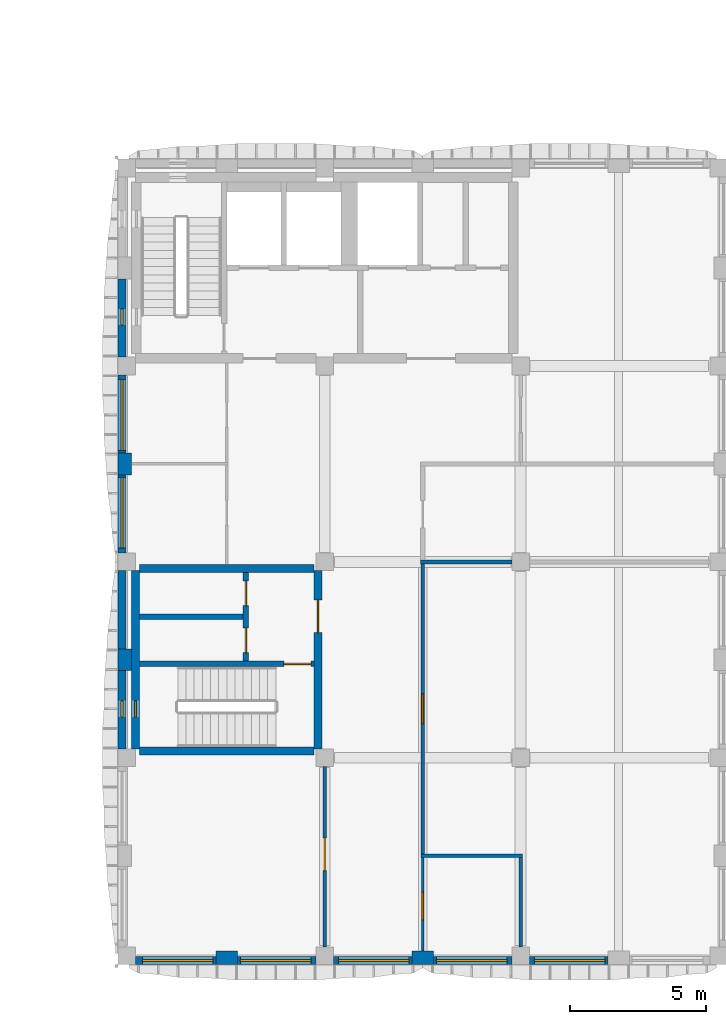
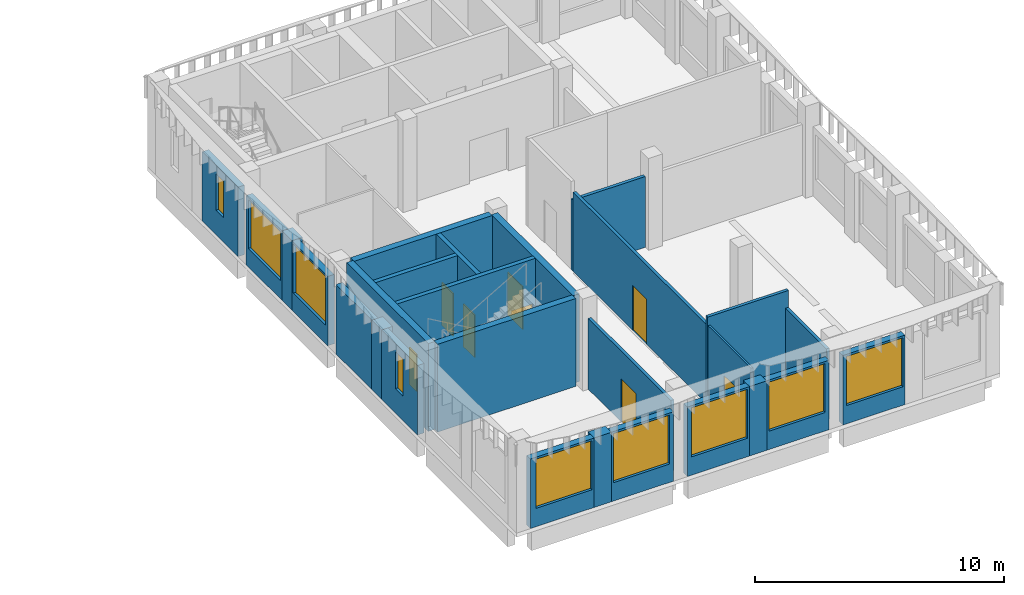
# One storey, part 14 of 30: 27 walls, 10 windows, 7 doors, 17 openings.
"""IFC4 building model written with IfcOpenShell, lengths in metres."""

from ifc_helpers import new_model, si_unit, direction, frame, frame_2d, origin, place, context, subcontext, project, spatial, rectangle, extrude, material, layer, layer_set, type_object, element, fill, save


model = new_model("IFC4")

# Units and contexts
model_context = context("Model", 3, precision=1e-05, world=origin(), true_north=direction((0.0, 1.0)))
body_context = subcontext(model_context, "Body", "Model", "MODEL_VIEW")
ifc_project = project(units=[si_unit("LENGTHUNIT", "METRE"), si_unit("AREAUNIT", "SQUARE_METRE"), si_unit("VOLUMEUNIT", "CUBIC_METRE"), si_unit("PLANEANGLEUNIT", "RADIAN"), si_unit("MASSUNIT", "GRAM", prefix="KILO")], contexts=[model_context])

# Site, building, storey
site_placement = place(None, origin())
site = spatial("IfcSite", under=ifc_project, at=site_placement, CompositionType="ELEMENT")
building_placement = place(site_placement, origin())
building = spatial("IfcBuilding", under=site, at=building_placement, Name="Ussher Court Research Institute", CompositionType="ELEMENT")
storey_placement = place(building_placement, frame((0.0, 0.0, 27.89990234375)))
storey = spatial("IfcBuildingStorey", under=building, at=storey_placement, Name="L06", CompositionType="ELEMENT", Elevation=27.89990234375)

# Wall, opening, window
ifc_material_1 = material(Name="Blockwork with cream render", Category="masonry")
ifc_layer_1 = layer(ifc_material_1, 0.300048828125)
ifc_layer_set_1 = layer_set([ifc_layer_1], Name="Blockwork with cream render")
wall_type_1 = type_object("IfcWallType", Name="External wall 300 cream render", PredefinedType="SOLIDWALL", material=ifc_layer_set_1)
wall_1_placement = place(storey_placement, frame((81.949951171875, 18.72509765625, 0.0), z_axis=(0.0, 0.0, 1.0), x_axis=(0.0, 1.0, 0.0)))
wall_1 = element("IfcWall", 1, at=wall_1_placement, inside=storey, type_object=wall_type_1, Name="External wall EW1 L06", PredefinedType="SOLIDWALL", context=body_context, shape_type="SweptSolid", body=[
    extrude(rectangle(XDim=2.875, YDim=0.300048828125, at=frame_2d((1.4375, 0.0))), origin(), (0.0, 0.0, 1.0), 3.400146484375),
])
opening_1_placement = place(wall_1_placement, frame((0.175048828125, 0.0, 0.89990234375)))
opening_1 = element("IfcOpeningElement", 2, at=opening_1_placement, cuts=wall_1, Name="Opening W01", PredefinedType="OPENING", context=body_context, shape_type="SweptSolid", body=[
    extrude(rectangle(XDim=2.60009765625, YDim=2.39990234375, at=frame_2d((1.300048828125, 1.199951171875))), frame((0.0, 0.16015625, 0.0), z_axis=(0.0, -1.0, 0.0), x_axis=(1.0, 0.0, 0.0)), (0.0, 0.0, 1.0), 0.320068359375),
])
ifc_material_2 = material(Name="Bronze anodised aluminium with double glazing", Category="aluminium")
window_type_1 = type_object("IfcWindowType", Name="Laboratory bay window 2600x2400", PartitioningType="DOUBLE_PANEL_VERTICAL", PredefinedType="WINDOW", material=ifc_material_2)
window_1_placement = place(opening_1_placement, origin())
window_1 = element("IfcWindow", 3, at=window_1_placement, inside=storey, type_object=window_type_1, Name="Window W01 L06", OverallHeight=2.39990234375, OverallWidth=2.60009765625, PartitioningType="SINGLE_PANEL", PredefinedType="WINDOW", context=body_context, shape_type="SweptSolid", body=[
    extrude(rectangle(XDim=2.60009765625, YDim=2.39990234375, at=frame_2d((1.300048828125, 1.199951171875))), frame((0.0, 0.030029296875, 0.0), z_axis=(0.0, -1.0, 0.0), x_axis=(1.0, 0.0, 0.0)), (0.0, 0.0, 1.0), 0.06005859375),
])
fill(opening_1, window_1)

wall_2_placement = place(storey_placement, frame((81.949951171875, 22.39990234375, 0.0), z_axis=(0.0, 0.0, 1.0), x_axis=(0.0, 1.0, 0.0)))
wall_2 = element("IfcWall", 4, at=wall_2_placement, inside=storey, type_object=wall_type_1, Name="External wall EW1 L06", PredefinedType="SOLIDWALL", context=body_context, shape_type="SweptSolid", body=[
    extrude(rectangle(XDim=2.875, YDim=0.300048828125, at=frame_2d((1.4375, 0.0))), origin(), (0.0, 0.0, 1.0), 3.400146484375),
])
opening_2_placement = place(wall_2_placement, frame((0.10009765625, 0.0, 0.89990234375)))
opening_2 = element("IfcOpeningElement", 5, at=opening_2_placement, cuts=wall_2, Name="Opening W01", PredefinedType="OPENING", context=body_context, shape_type="SweptSolid", body=[
    extrude(rectangle(XDim=2.60009765625, YDim=2.39990234375, at=frame_2d((1.300048828125, 1.199951171875))), frame((0.0, 0.16015625, 0.0), z_axis=(0.0, -1.0, 0.0), x_axis=(1.0, 0.0, 0.0)), (0.0, 0.0, 1.0), 0.320068359375),
])
window_2_placement = place(opening_2_placement, origin())
window_2 = element("IfcWindow", 6, at=window_2_placement, inside=storey, type_object=window_type_1, Name="Window W01 L06", OverallHeight=2.39990234375, OverallWidth=2.60009765625, PartitioningType="SINGLE_PANEL", PredefinedType="WINDOW", context=body_context, shape_type="SweptSolid", body=[
    extrude(rectangle(XDim=2.60009765625, YDim=2.39990234375, at=frame_2d((1.300048828125, 1.199951171875))), frame((0.0, 0.030029296875, 0.0), z_axis=(0.0, -1.0, 0.0), x_axis=(1.0, 0.0, 0.0)), (0.0, 0.0, 1.0), 0.06005859375),
])
fill(opening_2, window_2)

wall_3_placement = place(storey_placement, frame((99.800048828125, 3.75, 0.0), z_axis=(0.0, 0.0, 1.0), x_axis=(-1.0, 0.0, 0.0)))
wall_3 = element("IfcWall", 7, at=wall_3_placement, inside=storey, type_object=wall_type_1, Name="External wall EW1 L06", PredefinedType="SOLIDWALL", context=body_context, shape_type="SweptSolid", body=[
    extrude(rectangle(XDim=2.875, YDim=0.300048828125, at=frame_2d((1.4375, 0.0))), origin(), (0.0, 0.0, 1.0), 3.400146484375),
])
opening_3_placement = place(wall_3_placement, frame((0.10009765625, 0.0, 0.89990234375)))
opening_3 = element("IfcOpeningElement", 8, at=opening_3_placement, cuts=wall_3, Name="Opening W01", PredefinedType="OPENING", context=body_context, shape_type="SweptSolid", body=[
    extrude(rectangle(XDim=2.60009765625, YDim=2.39990234375, at=frame_2d((1.300048828125, 1.199951171875))), frame((0.0, 0.16015625, 0.0), z_axis=(0.0, -1.0, 0.0), x_axis=(1.0, 0.0, 0.0)), (0.0, 0.0, 1.0), 0.320068359375),
])
window_3_placement = place(opening_3_placement, origin())
window_3 = element("IfcWindow", 9, at=window_3_placement, inside=storey, type_object=window_type_1, Name="Window W01 L06", OverallHeight=2.39990234375, OverallWidth=2.60009765625, PartitioningType="SINGLE_PANEL", PredefinedType="WINDOW", context=body_context, shape_type="SweptSolid", body=[
    extrude(rectangle(XDim=2.60009765625, YDim=2.39990234375, at=frame_2d((1.300048828125, 1.199951171875))), frame((0.0, 0.030029296875, 0.0), z_axis=(0.0, -1.0, 0.0), x_axis=(1.0, 0.0, 0.0)), (0.0, 0.0, 1.0), 0.06005859375),
])
fill(opening_3, window_3)

wall_4_placement = place(storey_placement, frame((96.27490234375, 3.75, 0.0), z_axis=(0.0, 0.0, 1.0), x_axis=(-1.0, 0.0, 0.0)))
wall_4 = element("IfcWall", 10, at=wall_4_placement, inside=storey, type_object=wall_type_1, Name="External wall EW1 L06", PredefinedType="SOLIDWALL", context=body_context, shape_type="SweptSolid", body=[
    extrude(rectangle(XDim=2.875, YDim=0.300048828125, at=frame_2d((1.4375, 0.0))), origin(), (0.0, 0.0, 1.0), 3.400146484375),
])
opening_4_placement = place(wall_4_placement, frame((0.175048828125, 0.0, 0.89990234375)))
opening_4 = element("IfcOpeningElement", 11, at=opening_4_placement, cuts=wall_4, Name="Opening W01", PredefinedType="OPENING", context=body_context, shape_type="SweptSolid", body=[
    extrude(rectangle(XDim=2.60009765625, YDim=2.39990234375, at=frame_2d((1.300048828125, 1.199951171875))), frame((0.0, 0.16015625, 0.0), z_axis=(0.0, -1.0, 0.0), x_axis=(1.0, 0.0, 0.0)), (0.0, 0.0, 1.0), 0.320068359375),
])
window_4_placement = place(opening_4_placement, origin())
window_4 = element("IfcWindow", 12, at=window_4_placement, inside=storey, type_object=window_type_1, Name="Window W01 L06", OverallHeight=2.39990234375, OverallWidth=2.60009765625, PartitioningType="SINGLE_PANEL", PredefinedType="WINDOW", context=body_context, shape_type="SweptSolid", body=[
    extrude(rectangle(XDim=2.60009765625, YDim=2.39990234375, at=frame_2d((1.300048828125, 1.199951171875))), frame((0.0, 0.030029296875, 0.0), z_axis=(0.0, -1.0, 0.0), x_axis=(1.0, 0.0, 0.0)), (0.0, 0.0, 1.0), 0.06005859375),
])
fill(opening_4, window_4)

wall_5_placement = place(storey_placement, frame((92.60009765625, 3.75, 0.0), z_axis=(0.0, 0.0, 1.0), x_axis=(-1.0, 0.0, 0.0)))
wall_5 = element("IfcWall", 13, at=wall_5_placement, inside=storey, type_object=wall_type_1, Name="External wall EW1 L06", PredefinedType="SOLIDWALL", context=body_context, shape_type="SweptSolid", body=[
    extrude(rectangle(XDim=2.875, YDim=0.300048828125, at=frame_2d((1.4375, 0.0))), origin(), (0.0, 0.0, 1.0), 3.400146484375),
])
opening_5_placement = place(wall_5_placement, frame((0.10009765625, 0.0, 0.89990234375)))
opening_5 = element("IfcOpeningElement", 14, at=opening_5_placement, cuts=wall_5, Name="Opening W01", PredefinedType="OPENING", context=body_context, shape_type="SweptSolid", body=[
    extrude(rectangle(XDim=2.60009765625, YDim=2.39990234375, at=frame_2d((1.300048828125, 1.199951171875))), frame((0.0, 0.16015625, 0.0), z_axis=(0.0, -1.0, 0.0), x_axis=(1.0, 0.0, 0.0)), (0.0, 0.0, 1.0), 0.320068359375),
])
window_5_placement = place(opening_5_placement, origin())
window_5 = element("IfcWindow", 15, at=window_5_placement, inside=storey, type_object=window_type_1, Name="Window W01 L06", OverallHeight=2.39990234375, OverallWidth=2.60009765625, PartitioningType="SINGLE_PANEL", PredefinedType="WINDOW", context=body_context, shape_type="SweptSolid", body=[
    extrude(rectangle(XDim=2.60009765625, YDim=2.39990234375, at=frame_2d((1.300048828125, 1.199951171875))), frame((0.0, 0.030029296875, 0.0), z_axis=(0.0, -1.0, 0.0), x_axis=(1.0, 0.0, 0.0)), (0.0, 0.0, 1.0), 0.06005859375),
])
fill(opening_5, window_5)

wall_6_placement = place(storey_placement, frame((89.074951171875, 3.75, 0.0), z_axis=(0.0, 0.0, 1.0), x_axis=(-1.0, 0.0, 0.0)))
wall_6 = element("IfcWall", 16, at=wall_6_placement, inside=storey, type_object=wall_type_1, Name="External wall EW1 L06", PredefinedType="SOLIDWALL", context=body_context, shape_type="SweptSolid", body=[
    extrude(rectangle(XDim=2.875, YDim=0.300048828125, at=frame_2d((1.4375, 0.0))), origin(), (0.0, 0.0, 1.0), 3.400146484375),
])
opening_6_placement = place(wall_6_placement, frame((0.175048828125, 0.0, 0.89990234375)))
opening_6 = element("IfcOpeningElement", 17, at=opening_6_placement, cuts=wall_6, Name="Opening W01", PredefinedType="OPENING", context=body_context, shape_type="SweptSolid", body=[
    extrude(rectangle(XDim=2.60009765625, YDim=2.39990234375, at=frame_2d((1.300048828125, 1.199951171875))), frame((0.0, 0.16015625, 0.0), z_axis=(0.0, -1.0, 0.0), x_axis=(1.0, 0.0, 0.0)), (0.0, 0.0, 1.0), 0.320068359375),
])
window_6_placement = place(opening_6_placement, origin())
window_6 = element("IfcWindow", 18, at=window_6_placement, inside=storey, type_object=window_type_1, Name="Window W01 L06", OverallHeight=2.39990234375, OverallWidth=2.60009765625, PartitioningType="SINGLE_PANEL", PredefinedType="WINDOW", context=body_context, shape_type="SweptSolid", body=[
    extrude(rectangle(XDim=2.60009765625, YDim=2.39990234375, at=frame_2d((1.300048828125, 1.199951171875))), frame((0.0, 0.030029296875, 0.0), z_axis=(0.0, -1.0, 0.0), x_axis=(1.0, 0.0, 0.0)), (0.0, 0.0, 1.0), 0.06005859375),
])
fill(opening_6, window_6)

wall_7_placement = place(storey_placement, frame((85.39990234375, 3.75, 0.0), z_axis=(0.0, 0.0, 1.0), x_axis=(-1.0, 0.0, 0.0)))
wall_7 = element("IfcWall", 19, at=wall_7_placement, inside=storey, type_object=wall_type_1, Name="External wall EW1 L06", PredefinedType="SOLIDWALL", context=body_context, shape_type="SweptSolid", body=[
    extrude(rectangle(XDim=2.949951171875, YDim=0.300048828125, at=frame_2d((1.47509765625, 0.0))), origin(), (0.0, 0.0, 1.0), 3.400146484375),
])
opening_7_placement = place(wall_7_placement, frame((0.10009765625, 0.0, 0.89990234375)))
opening_7 = element("IfcOpeningElement", 20, at=opening_7_placement, cuts=wall_7, Name="Opening W01", PredefinedType="OPENING", context=body_context, shape_type="SweptSolid", body=[
    extrude(rectangle(XDim=2.60009765625, YDim=2.39990234375, at=frame_2d((1.300048828125, 1.199951171875))), frame((0.0, 0.16015625, 0.0), z_axis=(0.0, -1.0, 0.0), x_axis=(1.0, 0.0, 0.0)), (0.0, 0.0, 1.0), 0.320068359375),
])
window_7_placement = place(opening_7_placement, origin())
window_7 = element("IfcWindow", 21, at=window_7_placement, inside=storey, type_object=window_type_1, Name="Window W01 L06", OverallHeight=2.39990234375, OverallWidth=2.60009765625, PartitioningType="SINGLE_PANEL", PredefinedType="WINDOW", context=body_context, shape_type="SweptSolid", body=[
    extrude(rectangle(XDim=2.60009765625, YDim=2.39990234375, at=frame_2d((1.300048828125, 1.199951171875))), frame((0.0, 0.030029296875, 0.0), z_axis=(0.0, -1.0, 0.0), x_axis=(1.0, 0.0, 0.0)), (0.0, 0.0, 1.0), 0.06005859375),
])
fill(opening_7, window_7)

ifc_material_3 = material(Name="Limestone facing on blockwork", Category="masonry")
ifc_layer_2 = layer(ifc_material_3, 0.300048828125)
ifc_layer_set_2 = layer_set([ifc_layer_2], Name="Limestone facing on blockwork")
wall_type_2 = type_object("IfcWallType", Name="External wall 300 stair enclosure", PredefinedType="SOLIDWALL", material=ifc_layer_set_2)
wall_8_placement = place(storey_placement, frame((81.949951171875, 11.52490234375, 0.0), z_axis=(0.0, 0.0, 1.0), x_axis=(0.0, 1.0, 0.0)))
wall_8 = element("IfcWall", 22, at=wall_8_placement, inside=storey, type_object=wall_type_2, Name="External wall EW5 L06", PredefinedType="SOLIDWALL", context=body_context, shape_type="SweptSolid", body=[
    extrude(rectangle(XDim=2.875, YDim=0.300048828125, at=frame_2d((1.4375, 0.0))), origin(), (0.0, 0.0, 1.0), 3.400146484375),
])
opening_8_placement = place(wall_8_placement, frame((1.175048828125, 0.0, 1.199951171875)))
opening_8 = element("IfcOpeningElement", 23, at=opening_8_placement, cuts=wall_8, Name="Opening W25", PredefinedType="OPENING", context=body_context, shape_type="SweptSolid", body=[
    extrude(rectangle(XDim=0.60009765625, YDim=1.800048828125, at=frame_2d((0.300048828125, 0.89990234375))), frame((0.0, 0.16015625, 0.0), z_axis=(0.0, -1.0, 0.0), x_axis=(1.0, 0.0, 0.0)), (0.0, 0.0, 1.0), 0.320068359375),
])
ifc_material_4 = material(Name="Bronze anodised aluminium with double glazing", Category="aluminium")
window_type_2 = type_object("IfcWindowType", Name="Stair light slot window 600x1800 fire-resisting glazing", PartitioningType="SINGLE_PANEL", PredefinedType="WINDOW", material=ifc_material_4)
window_8_placement = place(opening_8_placement, origin())
window_8 = element("IfcWindow", 24, at=window_8_placement, inside=storey, type_object=window_type_2, Name="Window W25 L06", OverallHeight=1.800048828125, OverallWidth=0.60009765625, PartitioningType="SINGLE_PANEL", PredefinedType="WINDOW", context=body_context, shape_type="SweptSolid", body=[
    extrude(rectangle(XDim=0.60009765625, YDim=1.800048828125, at=frame_2d((0.300048828125, 0.89990234375))), frame((0.0, 0.030029296875, 0.0), z_axis=(0.0, -1.0, 0.0), x_axis=(1.0, 0.0, 0.0)), (0.0, 0.0, 1.0), 0.06005859375),
])
fill(opening_8, window_8)

# Wall
wall_9_placement = place(storey_placement, frame((81.949951171875, 15.199951171875, 0.0), z_axis=(0.0, 0.0, 1.0), x_axis=(0.0, 1.0, 0.0)))
element("IfcWall", 25, at=wall_9_placement, inside=storey, type_object=wall_type_2, Name="External wall EW5 L06", PredefinedType="SOLIDWALL", context=body_context, shape_type="SweptSolid", body=[
    extrude(rectangle(XDim=2.875, YDim=0.300048828125, at=frame_2d((1.4375, 0.0))), origin(), (0.0, 0.0, 1.0), 3.400146484375),
])

# Wall, opening, window
wall_10_placement = place(storey_placement, frame((81.949951171875, 25.925048828125, 0.0), z_axis=(0.0, 0.0, 1.0), x_axis=(0.0, 1.0, 0.0)))
wall_10 = element("IfcWall", 26, at=wall_10_placement, inside=storey, type_object=wall_type_2, Name="External wall EW5 L06", PredefinedType="SOLIDWALL", context=body_context, shape_type="SweptSolid", body=[
    extrude(rectangle(XDim=2.875, YDim=0.300048828125, at=frame_2d((1.4375, 0.0))), origin(), (0.0, 0.0, 1.0), 3.400146484375),
])
opening_9_placement = place(wall_10_placement, frame((1.175048828125, 0.0, 1.199951171875)))
opening_9 = element("IfcOpeningElement", 27, at=opening_9_placement, cuts=wall_10, Name="Opening W25", PredefinedType="OPENING", context=body_context, shape_type="SweptSolid", body=[
    extrude(rectangle(XDim=0.60009765625, YDim=1.800048828125, at=frame_2d((0.300048828125, 0.89990234375))), frame((0.0, 0.16015625, 0.0), z_axis=(0.0, -1.0, 0.0), x_axis=(1.0, 0.0, 0.0)), (0.0, 0.0, 1.0), 0.320068359375),
])
window_9_placement = place(opening_9_placement, origin())
window_9 = element("IfcWindow", 28, at=window_9_placement, inside=storey, type_object=window_type_2, Name="Window W25 L06", OverallHeight=1.800048828125, OverallWidth=0.60009765625, PartitioningType="SINGLE_PANEL", PredefinedType="WINDOW", context=body_context, shape_type="SweptSolid", body=[
    extrude(rectangle(XDim=0.60009765625, YDim=1.800048828125, at=frame_2d((0.300048828125, 0.89990234375))), frame((0.0, 0.030029296875, 0.0), z_axis=(0.0, -1.0, 0.0), x_axis=(1.0, 0.0, 0.0)), (0.0, 0.0, 1.0), 0.06005859375),
])
fill(opening_9, window_9)

# Walls
ifc_material_5 = material(Name="Plastered blockwork", Category="masonry")
ifc_layer_3 = layer(ifc_material_5, 0.14990234375)
ifc_layer_set_3 = layer_set([ifc_layer_3], Name="Plastered blockwork")
wall_type_3 = type_object("IfcWallType", Name="Fire partition blockwork 150 EI 60", PredefinedType="PARTITIONING", material=ifc_layer_set_3)
wall_11_placement = place(storey_placement, frame((92.925048828125, 18.39990234375, 0.0), z_axis=(0.0, 0.0, 1.0), x_axis=(1.0, 0.0, 0.0)))
element("IfcWall", 29, at=wall_11_placement, inside=storey, type_object=wall_type_3, Name="Fire partition", PredefinedType="PARTITIONING", context=body_context, shape_type="SweptSolid", body=[
    extrude(rectangle(XDim=3.349853515625, YDim=0.14990234375, at=frame_2d((1.6748046875, 0.0))), origin(), (0.0, 0.0, 1.0), 3.47021484375),
])
ifc_material_6 = material(Name="Plastered blockwork", Category="masonry")
ifc_layer_4 = layer(ifc_material_6, 0.139892578125)
ifc_layer_set_4 = layer_set([ifc_layer_4], Name="Plastered blockwork")
wall_type_4 = type_object("IfcWallType", Name="Laboratory blockwork partition 140", PredefinedType="PARTITIONING", material=ifc_layer_set_4)
wall_12_placement = place(storey_placement, frame((92.929931640625, 7.60009765625, 0.0), z_axis=(0.0, 0.0, 1.0), x_axis=(1.0, 0.0, 0.0)))
element("IfcWall", 30, at=wall_12_placement, inside=storey, type_object=wall_type_4, Name="Partition", PredefinedType="PARTITIONING", context=body_context, shape_type="SweptSolid", body=[
    extrude(rectangle(XDim=3.739990234375, YDim=0.139892578125, at=frame_2d((1.8701171875, 0.0))), origin(), (0.0, 0.0, 1.0), 4.300048828125),
])

# Wall, opening, door
wall_13_placement = place(storey_placement, frame((89.39990234375, 4.25, 0.0), z_axis=(0.0, 0.0, 1.0), x_axis=(0.0, 1.0, 0.0)))
wall_13 = element("IfcWall", 31, at=wall_13_placement, inside=storey, type_object=wall_type_4, Name="Partition", PredefinedType="PARTITIONING", context=body_context, shape_type="SweptSolid", body=[
    extrude(rectangle(XDim=6.625, YDim=0.139892578125, at=frame_2d((3.3125, 0.0))), origin(), (0.0, 0.0, 1.0), 3.47021484375),
])
opening_10_placement = place(wall_13_placement, frame((2.800048828125, 0.0, 0.0)))
opening_10 = element("IfcOpeningElement", 32, at=opening_10_placement, cuts=wall_13, Name="Opening D06033", PredefinedType="OPENING", context=body_context, shape_type="SweptSolid", body=[
    extrude(rectangle(XDim=1.199951171875, YDim=2.10009765625, at=frame_2d((0.60009765625, 1.050048828125))), frame((0.0, 0.080078125, 0.0), z_axis=(0.0, -1.0, 0.0), x_axis=(1.0, 0.0, 0.0)), (0.0, 0.0, 1.0), 0.159912109375),
])
ifc_material_7 = material(Name="Veneered timber door", Category="wood")
door_type_1 = type_object("IfcDoorType", Name="Laboratory door 1200x2100", OperationType="NOTDEFINED", PredefinedType="DOOR", material=ifc_material_7)
door_1_placement = place(opening_10_placement, origin())
door_1 = element("IfcDoor", 33, at=door_1_placement, inside=storey, type_object=door_type_1, Name="Door D06033", OperationType="SINGLE_SWING_RIGHT", OverallHeight=2.10009765625, OverallWidth=1.199951171875, PredefinedType="DOOR", context=body_context, shape_type="SweptSolid", body=[
    extrude(rectangle(XDim=1.199951171875, YDim=2.10009765625, at=frame_2d((0.60009765625, 1.050048828125))), frame((0.0, 0.02490234375, 0.0), z_axis=(0.0, -1.0, 0.0), x_axis=(1.0, 0.0, 0.0)), (0.0, 0.0, 1.0), 0.050048828125),
])
fill(opening_10, door_1)

wall_14_placement = place(storey_placement, frame((93.0, 18.324951171875, 0.0), z_axis=(0.0, 0.0, 1.0), x_axis=(0.0, -1.0, 0.0)))
wall_14 = element("IfcWall", 34, at=wall_14_placement, inside=storey, type_object=wall_type_4, Name="Partition", PredefinedType="PARTITIONING", context=body_context, shape_type="SweptSolid", body=[
    extrude(rectangle(XDim=10.655029296875, YDim=0.139892578125, at=frame_2d((5.32763671875, 0.0))), origin(), (0.0, 0.0, 1.0), 3.8701171875),
])
opening_11_placement = place(wall_14_placement, frame((4.77490234375, 0.0, 0.0)))
opening_11 = element("IfcOpeningElement", 35, at=opening_11_placement, cuts=wall_14, Name="Opening D06035", PredefinedType="OPENING", context=body_context, shape_type="SweptSolid", body=[
    extrude(rectangle(XDim=1.10009765625, YDim=2.199951171875, at=frame_2d((0.550048828125, 1.10009765625))), frame((0.0, 0.080078125, 0.0), z_axis=(0.0, -1.0, 0.0), x_axis=(1.0, 0.0, 0.0)), (0.0, 0.0, 1.0), 0.159912109375),
])
ifc_material_8 = material(Name="Veneered timber door", Category="wood")
door_type_2 = type_object("IfcDoorType", Name="Computing laboratory door 1100x2200", OperationType="NOTDEFINED", PredefinedType="DOOR", material=ifc_material_8)
door_2_placement = place(opening_11_placement, origin())
door_2 = element("IfcDoor", 36, at=door_2_placement, inside=storey, type_object=door_type_2, Name="Door D06035", OperationType="SINGLE_SWING_LEFT", OverallHeight=2.199951171875, OverallWidth=1.10009765625, PredefinedType="DOOR", context=body_context, shape_type="SweptSolid", body=[
    extrude(rectangle(XDim=1.10009765625, YDim=2.199951171875, at=frame_2d((0.550048828125, 1.10009765625))), frame((0.0, 0.02490234375, 0.0), z_axis=(0.0, -1.0, 0.0), x_axis=(1.0, 0.0, 0.0)), (0.0, 0.0, 1.0), 0.050048828125),
])
fill(opening_11, door_2)

# Walls
wall_15_placement = place(storey_placement, frame((96.60009765625, 4.25, 0.0), z_axis=(0.0, 0.0, 1.0), x_axis=(0.0, 1.0, 0.0)))
element("IfcWall", 37, at=wall_15_placement, inside=storey, type_object=wall_type_4, Name="Partition", PredefinedType="PARTITIONING", context=body_context, shape_type="SweptSolid", body=[
    extrude(rectangle(XDim=3.280029296875, YDim=0.139892578125, at=frame_2d((1.64013671875, 0.0))), origin(), (0.0, 0.0, 1.0), 3.47021484375),
])
ifc_material_9 = material(Name="Blockwork with cream render", Category="masonry")
ifc_layer_5 = layer(ifc_material_9, 0.5)
ifc_layer_set_5 = layer_set([ifc_layer_5], Name="Blockwork with cream render")
wall_type_5 = type_object("IfcWallType", Name="Pier 800x500 cream render", PredefinedType="SOLIDWALL", material=ifc_layer_set_5)
wall_16_placement = place(storey_placement, frame((82.050048828125, 14.39990234375, 0.0), z_axis=(0.0, 0.0, 1.0), x_axis=(0.0, 1.0, 0.0)))
element("IfcWall", 38, at=wall_16_placement, inside=storey, type_object=wall_type_5, Name="Pier PR1 L06", PredefinedType="SOLIDWALL", context=body_context, shape_type="SweptSolid", body=[
    extrude(rectangle(XDim=0.800048828125, YDim=0.5, at=frame_2d((0.39990234375, 0.0))), origin(), (0.0, 0.0, 1.0), 3.400146484375),
])
for number, where, z_axis, x_axis, name in (
    (39, (82.050048828125, 21.60009765625, 0.0), (0.0, 0.0, 1.0), (0.0, 1.0, 0.0), "Pier PR1 L06"),
    (40, (93.39990234375, 3.85009765625, 0.0), (0.0, 0.0, 1.0), (-1.0, 0.0, 0.0), "Pier PR1 L06"),
):
    element("IfcWall", number, at=place(storey_placement, frame(where, z_axis=z_axis, x_axis=x_axis)), inside=storey, type_object=wall_type_5, Name=name, PredefinedType="SOLIDWALL", context=body_context, shape_type="SweptSolid", body=[
        extrude(rectangle(XDim=0.7998046875, YDim=0.5, at=frame_2d((0.39990234375, 0.0))), origin(), (0.0, 0.0, 1.0), 3.400146484375),
    ])
wall_17_placement = place(storey_placement, frame((86.199951171875, 3.85009765625, 0.0), z_axis=(0.0, 0.0, 1.0), x_axis=(-1.0, 0.0, 0.0)))
element("IfcWall", 41, at=wall_17_placement, inside=storey, type_object=wall_type_5, Name="Pier PR1 L06", PredefinedType="SOLIDWALL", context=body_context, shape_type="SweptSolid", body=[
    extrude(rectangle(XDim=0.800048828125, YDim=0.5, at=frame_2d((0.39990234375, 0.0))), origin(), (0.0, 0.0, 1.0), 3.400146484375),
])

# Wall, opening, door
ifc_material_10 = material(Name="Concrete C35/45", Category="concrete")
ifc_layer_6 = layer(ifc_material_10, 0.199951171875)
ifc_layer_set_6 = layer_set([ifc_layer_6], Name="Concrete C35/45")
wall_type_6 = type_object("IfcWallType", Name="RC core wall 200", PredefinedType="SHEAR", material=ifc_layer_set_6)
wall_18_placement = place(storey_placement, frame((89.0, 14.64990234375, 0.0), z_axis=(0.0, 0.0, 1.0), x_axis=(-1.0, 0.0, 0.0)))
wall_18 = element("IfcWall", 42, at=wall_18_placement, inside=storey, type_object=wall_type_6, Name="Core wall T2", PredefinedType="SHEAR", context=body_context, shape_type="SweptSolid", body=[
    extrude(rectangle(XDim=6.39990234375, YDim=0.199951171875, at=frame_2d((3.199951171875, 0.0))), origin(), (0.0, 0.0, 1.0), 4.300048828125),
])
opening_12_placement = place(wall_18_placement, frame((0.10009765625, 0.0, 0.0)))
opening_12 = element("IfcOpeningElement", 43, at=opening_12_placement, cuts=wall_18, Name="Opening D06031", PredefinedType="OPENING", context=body_context, shape_type="SweptSolid", body=[
    extrude(rectangle(XDim=1.0, YDim=2.10009765625, at=frame_2d((0.5, 1.050048828125))), frame((0.0, 0.10986328125, 0.0), z_axis=(0.0, -1.0, 0.0), x_axis=(1.0, 0.0, 0.0)), (0.0, 0.0, 1.0), 0.219970703125),
])
ifc_material_11 = material(Name="Painted steel faced fire door", Category="steel")
door_type_3 = type_object("IfcDoorType", Name="Fire door 1000x2100 FD60", OperationType="NOTDEFINED", PredefinedType="DOOR", material=ifc_material_11)
door_3_placement = place(opening_12_placement, origin())
door_3 = element("IfcDoor", 44, at=door_3_placement, inside=storey, type_object=door_type_3, Name="Door D06031", OperationType="SINGLE_SWING_LEFT", OverallHeight=2.10009765625, OverallWidth=1.0, PredefinedType="DOOR", context=body_context, shape_type="SweptSolid", body=[
    extrude(rectangle(XDim=1.0, YDim=2.10009765625, at=frame_2d((0.5, 1.050048828125))), frame((0.0, 0.02490234375, 0.0), z_axis=(0.0, -1.0, 0.0), x_axis=(1.0, 0.0, 0.0)), (0.0, 0.0, 1.0), 0.050048828125),
])
fill(opening_12, door_3)

# Wall, openings, doors
wall_19_placement = place(storey_placement, frame((86.5, 18.0, 0.0), z_axis=(0.0, 0.0, 1.0), x_axis=(0.0, -1.0, 0.0)))
wall_19 = element("IfcWall", 45, at=wall_19_placement, inside=storey, type_object=wall_type_6, Name="Core wall T2", PredefinedType="SHEAR", context=body_context, shape_type="SweptSolid", body=[
    extrude(rectangle(XDim=3.25, YDim=0.199951171875, at=frame_2d((1.625, 0.0))), origin(), (0.0, 0.0, 1.0), 4.300048828125),
])
opening_13_placement = place(wall_19_placement, frame((2.03759765625, 0.0, 0.0)))
opening_13 = element("IfcOpeningElement", 46, at=opening_13_placement, cuts=wall_19, Name="Opening D06028", PredefinedType="OPENING", context=body_context, shape_type="SweptSolid", body=[
    extrude(rectangle(XDim=0.89990234375, YDim=2.10009765625, at=frame_2d((0.449951171875, 1.050048828125))), frame((0.0, 0.10986328125, 0.0), z_axis=(0.0, -1.0, 0.0), x_axis=(1.0, 0.0, 0.0)), (0.0, 0.0, 1.0), 0.219970703125),
])
opening_14_placement = place(wall_19_placement, frame((0.3125, 0.0, 0.0)))
opening_14 = element("IfcOpeningElement", 47, at=opening_14_placement, cuts=wall_19, Name="Opening D06029", PredefinedType="OPENING", context=body_context, shape_type="SweptSolid", body=[
    extrude(rectangle(XDim=0.89990234375, YDim=2.10009765625, at=frame_2d((0.449951171875, 1.050048828125))), frame((0.0, 0.10986328125, 0.0), z_axis=(0.0, -1.0, 0.0), x_axis=(1.0, 0.0, 0.0)), (0.0, 0.0, 1.0), 0.219970703125),
])
ifc_material_12 = material(Name="Painted steel faced fire door", Category="steel")
door_type_4 = type_object("IfcDoorType", Name="Fire door 900x2100 FD60", OperationType="NOTDEFINED", PredefinedType="DOOR", material=ifc_material_12)
door_4_placement = place(opening_13_placement, origin())
door_4 = element("IfcDoor", 48, at=door_4_placement, inside=storey, type_object=door_type_4, Name="Door D06028", OperationType="SINGLE_SWING_RIGHT", OverallHeight=2.10009765625, OverallWidth=0.89990234375, PredefinedType="DOOR", context=body_context, shape_type="SweptSolid", body=[
    extrude(rectangle(XDim=0.89990234375, YDim=2.10009765625, at=frame_2d((0.449951171875, 1.050048828125))), frame((0.0, 0.02490234375, 0.0), z_axis=(0.0, -1.0, 0.0), x_axis=(1.0, 0.0, 0.0)), (0.0, 0.0, 1.0), 0.050048828125),
])
fill(opening_13, door_4)
door_5_placement = place(opening_14_placement, origin())
door_5 = element("IfcDoor", 49, at=door_5_placement, inside=storey, type_object=door_type_4, Name="Door D06029", OperationType="SINGLE_SWING_LEFT", OverallHeight=2.10009765625, OverallWidth=0.89990234375, PredefinedType="DOOR", context=body_context, shape_type="SweptSolid", body=[
    extrude(rectangle(XDim=0.89990234375, YDim=2.10009765625, at=frame_2d((0.449951171875, 1.050048828125))), frame((0.0, 0.02490234375, 0.0), z_axis=(0.0, -1.0, 0.0), x_axis=(1.0, 0.0, 0.0)), (0.0, 0.0, 1.0), 0.050048828125),
])
fill(opening_14, door_5)

# Wall
wall_20_placement = place(storey_placement, frame((82.60009765625, 16.375, 0.0), z_axis=(0.0, 0.0, 1.0), x_axis=(1.0, 0.0, 0.0)))
element("IfcWall", 50, at=wall_20_placement, inside=storey, type_object=wall_type_6, Name="Core wall T2", PredefinedType="SHEAR", context=body_context, shape_type="SweptSolid", body=[
    extrude(rectangle(XDim=3.7998046875, YDim=0.199951171875, at=frame_2d((1.89990234375, 0.0))), origin(), (0.0, 0.0, 1.0), 4.300048828125),
])

# Wall, opening, door
ifc_material_13 = material(Name="Concrete C35/45", Category="concrete")
ifc_layer_7 = layer(ifc_material_13, 0.300048828125)
ifc_layer_set_7 = layer_set([ifc_layer_7], Name="Concrete C35/45")
wall_type_7 = type_object("IfcWallType", Name="RC core wall 300", PredefinedType="SHEAR", material=ifc_layer_set_7)
wall_21_placement = place(storey_placement, frame((89.14990234375, 11.52490234375, 0.0), z_axis=(0.0, 0.0, 1.0), x_axis=(0.0, 1.0, 0.0)))
wall_21 = element("IfcWall", 51, at=wall_21_placement, inside=storey, type_object=wall_type_7, Name="Core wall T2", PredefinedType="SHEAR", context=body_context, shape_type="SweptSolid", body=[
    extrude(rectangle(XDim=6.550048828125, YDim=0.300048828125, at=frame_2d((3.27490234375, 0.0))), origin(), (0.0, 0.0, 1.0), 4.300048828125),
])
opening_15_placement = place(wall_21_placement, frame((4.27490234375, 0.0, 0.0)))
opening_15 = element("IfcOpeningElement", 52, at=opening_15_placement, cuts=wall_21, Name="Opening D06032", PredefinedType="OPENING", context=body_context, shape_type="SweptSolid", body=[
    extrude(rectangle(XDim=1.199951171875, YDim=2.10009765625, at=frame_2d((0.60009765625, 1.050048828125))), frame((0.0, 0.16015625, 0.0), z_axis=(0.0, -1.0, 0.0), x_axis=(1.0, 0.0, 0.0)), (0.0, 0.0, 1.0), 0.320068359375),
])
ifc_material_14 = material(Name="Painted steel faced fire door", Category="steel")
door_type_5 = type_object("IfcDoorType", Name="Fire door 1200x2100 FD60", OperationType="NOTDEFINED", PredefinedType="DOOR", material=ifc_material_14)
door_6_placement = place(opening_15_placement, origin())
door_6 = element("IfcDoor", 53, at=door_6_placement, inside=storey, type_object=door_type_5, Name="Door D06032", OperationType="SINGLE_SWING_RIGHT", OverallHeight=2.10009765625, OverallWidth=1.199951171875, PredefinedType="DOOR", context=body_context, shape_type="SweptSolid", body=[
    extrude(rectangle(XDim=1.199951171875, YDim=2.10009765625, at=frame_2d((0.60009765625, 1.050048828125))), frame((0.0, 0.02490234375, 0.0), z_axis=(0.0, -1.0, 0.0), x_axis=(1.0, 0.0, 0.0)), (0.0, 0.0, 1.0), 0.050048828125),
])
fill(opening_15, door_6)

# Wall, opening, window
wall_22_placement = place(storey_placement, frame((82.449951171875, 11.52490234375, 0.0), z_axis=(0.0, 0.0, 1.0), x_axis=(0.0, 1.0, 0.0)))
wall_22 = element("IfcWall", 54, at=wall_22_placement, inside=storey, type_object=wall_type_7, Name="Core wall T2", PredefinedType="SHEAR", context=body_context, shape_type="SweptSolid", body=[
    extrude(rectangle(XDim=6.550048828125, YDim=0.300048828125, at=frame_2d((3.27490234375, 0.0))), origin(), (0.0, 0.0, 1.0), 4.300048828125),
])
opening_16_placement = place(wall_22_placement, frame((1.175048828125, 0.0, 1.199951171875)))
opening_16 = element("IfcOpeningElement", 55, at=opening_16_placement, cuts=wall_22, Name="Opening W25", PredefinedType="OPENING", context=body_context, shape_type="SweptSolid", body=[
    extrude(rectangle(XDim=0.60009765625, YDim=1.800048828125, at=frame_2d((0.300048828125, 0.89990234375))), frame((0.0, 0.16015625, 0.0), z_axis=(0.0, -1.0, 0.0), x_axis=(1.0, 0.0, 0.0)), (0.0, 0.0, 1.0), 0.320068359375),
])
window_10_placement = place(opening_16_placement, origin())
window_10 = element("IfcWindow", 56, at=window_10_placement, inside=storey, type_object=window_type_2, Name="Window stair light T2 L06", OverallHeight=1.800048828125, OverallWidth=0.60009765625, PartitioningType="SINGLE_PANEL", PredefinedType="WINDOW", context=body_context, shape_type="SweptSolid", body=[
    extrude(rectangle(XDim=0.60009765625, YDim=1.800048828125, at=frame_2d((0.300048828125, 0.89990234375))), frame((0.0, 0.030029296875, 0.0), z_axis=(0.0, -1.0, 0.0), x_axis=(1.0, 0.0, 0.0)), (0.0, 0.0, 1.0), 0.06005859375),
])
fill(opening_16, window_10)

# Walls
for number, where, z_axis, x_axis, name in (
    (57, (82.60009765625, 11.449951171875, 0.0), (0.0, 0.0, 1.0), (1.0, 0.0, 0.0), "Core wall T2"),
    (58, (82.60009765625, 18.14990234375, 0.0), (0.0, 0.0, 1.0), (1.0, 0.0, 0.0), "Core wall T2"),
):
    element("IfcWall", number, at=place(storey_placement, frame(where, z_axis=z_axis, x_axis=x_axis)), inside=storey, type_object=wall_type_7, Name=name, PredefinedType="SHEAR", context=body_context, shape_type="SweptSolid", body=[
        extrude(rectangle(XDim=6.39990234375, YDim=0.300048828125, at=frame_2d((3.199951171875, 0.0))), origin(), (0.0, 0.0, 1.0), 4.300048828125),
    ])

# Wall, opening, door
ifc_material_15 = material(Name="Moisture-resistant board on steel studs", Category="steel")
ifc_layer_8 = layer(ifc_material_15, 0.090087890625)
ifc_layer_set_8 = layer_set([ifc_layer_8], Name="Moisture-resistant board on steel studs")
wall_type_8 = type_object("IfcWallType", Name="WC lining partition 90", PredefinedType="PARTITIONING", material=ifc_layer_set_8)
wall_23_placement = place(storey_placement, frame((93.0, 7.530029296875, 0.0), z_axis=(0.0, 0.0, 1.0), x_axis=(0.0, -1.0, 0.0)))
wall_23 = element("IfcWall", 59, at=wall_23_placement, inside=storey, type_object=wall_type_8, Name="Partition", PredefinedType="PARTITIONING", context=body_context, shape_type="SweptSolid", body=[
    extrude(rectangle(XDim=3.429931640625, YDim=0.090087890625, at=frame_2d((1.71484375, 0.0))), origin(), (0.0, 0.0, 1.0), 3.8701171875),
])
opening_17_placement = place(wall_23_placement, frame((1.280029296875, 0.0, 0.0)))
opening_17 = element("IfcOpeningElement", 60, at=opening_17_placement, cuts=wall_23, Name="Opening D06034", PredefinedType="OPENING", context=body_context, shape_type="SweptSolid", body=[
    extrude(rectangle(XDim=1.0, YDim=2.199951171875, at=frame_2d((0.5, 1.10009765625))), frame((0.0, 0.05517578125, 0.0), z_axis=(0.0, -1.0, 0.0), x_axis=(1.0, 0.0, 0.0)), (0.0, 0.0, 1.0), 0.110107421875),
])
ifc_material_16 = material(Name="Veneered timber door", Category="wood")
door_type_6 = type_object("IfcDoorType", Name="Accessible WC door 1000x2200", OperationType="NOTDEFINED", PredefinedType="DOOR", material=ifc_material_16)
door_7_placement = place(opening_17_placement, origin())
door_7 = element("IfcDoor", 61, at=door_7_placement, inside=storey, type_object=door_type_6, Name="Door D06034", OperationType="SINGLE_SWING_RIGHT", OverallHeight=2.199951171875, OverallWidth=1.0, PredefinedType="DOOR", context=body_context, shape_type="SweptSolid", body=[
    extrude(rectangle(XDim=1.0, YDim=2.199951171875, at=frame_2d((0.5, 1.10009765625))), frame((0.0, 0.02490234375, 0.0), z_axis=(0.0, -1.0, 0.0), x_axis=(1.0, 0.0, 0.0)), (0.0, 0.0, 1.0), 0.050048828125),
])
fill(opening_17, door_7)

save(model, "model.ifc")
